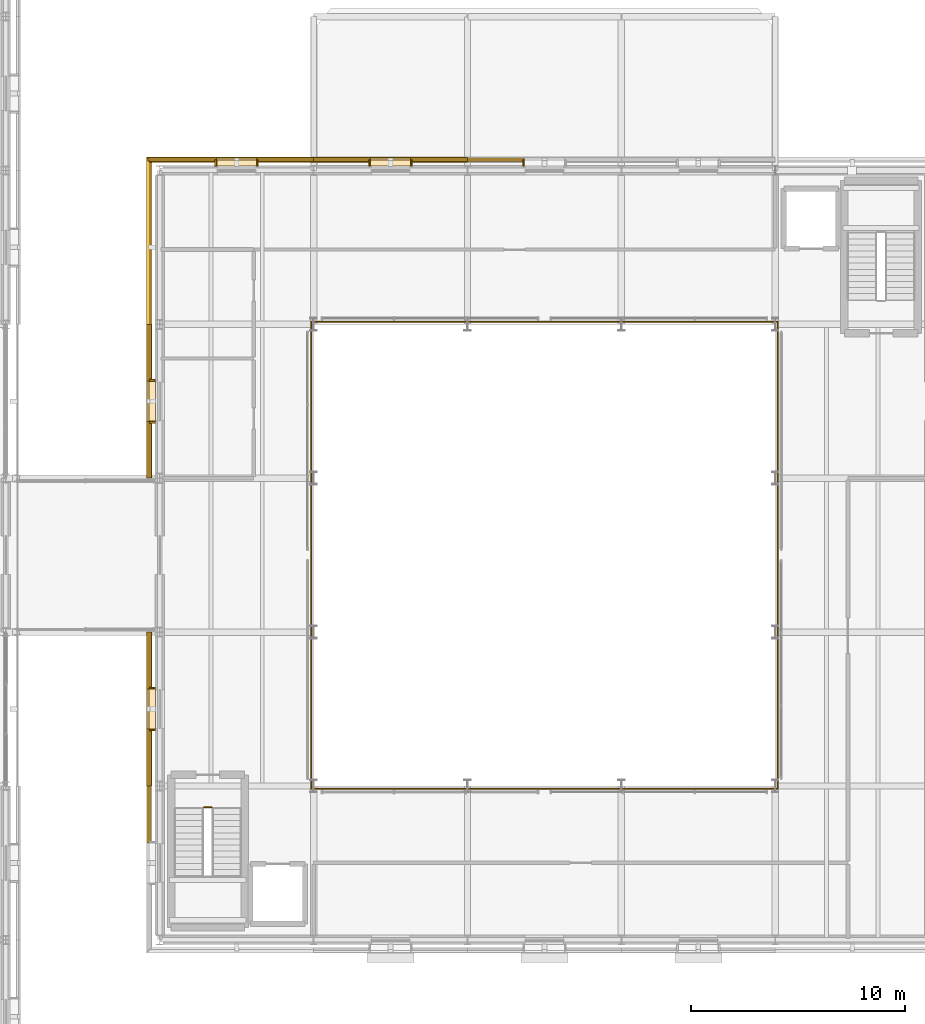
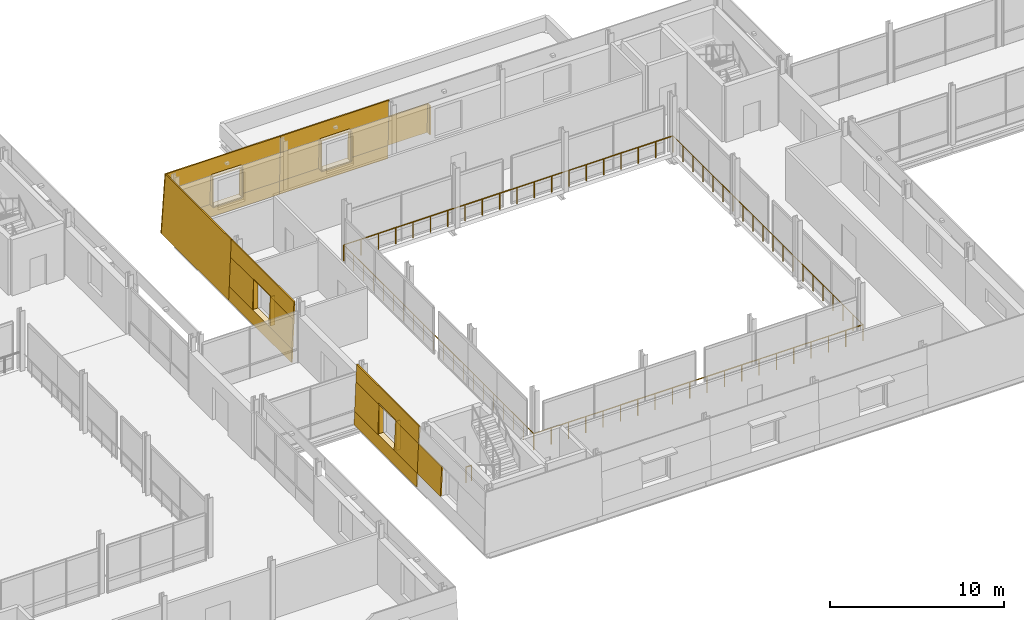
# One storey, part 105 of 115: 36 coverings, 5 railings.
"""IFC4 building model written with IfcOpenShell, lengths in metres."""

from ifc_helpers import new_model, si_unit, direction, frame, origin, origin_2d, place, context, subcontext, project, spatial, polyline, circle, outline, extrude, material, layer, layer_set, type_object, element, save


model = new_model("IFC4")

# Units and contexts
model_context = context("Model", 3, precision=1e-05, world=origin(), true_north=direction((0.0, 1.0)))
body_context = subcontext(model_context, "Body", "Model", "MODEL_VIEW")
ifc_project = project(units=[si_unit("LENGTHUNIT", "METRE"), si_unit("AREAUNIT", "SQUARE_METRE"), si_unit("VOLUMEUNIT", "CUBIC_METRE"), si_unit("PLANEANGLEUNIT", "RADIAN"), si_unit("MASSUNIT", "GRAM", prefix="KILO")], contexts=[model_context])

# Site, building, storey
site_placement = place(None, origin())
site = spatial("IfcSite", under=ifc_project, at=site_placement, CompositionType="ELEMENT")
building_placement = place(site_placement, origin())
building = spatial("IfcBuilding", under=site, at=building_placement, Name="Narikvali Park Central Library", CompositionType="ELEMENT")
storey_placement = place(building_placement, frame((0.0, 0.0, 10.199951171875)))
storey = spatial("IfcBuildingStorey", under=building, at=storey_placement, Name="L02", CompositionType="ELEMENT", Elevation=10.199951171875)

# Railings
ifc_material_1 = material(Name="Laminated Tempered Glass and Stainless Steel", Category="steel")
ifc_layer_1 = layer(ifc_material_1, 0.06005859375, Name="Laminated Tempered Glass and Stainless Steel")
ifc_layer_set_1 = layer_set([ifc_layer_1], Name="Laminated Tempered Glass and Stainless Steel")
railing_type_1 = type_object("IfcRailingType", Name="Atrium Void Tempered Glass Guardrail 1150", PredefinedType="GUARDRAIL", material=ifc_layer_set_1)
railing_1_placement = place(storey_placement, frame((71.8798828125, 64.679931640625, 0.0)))
element("IfcRailing", 1, at=railing_1_placement, inside=storey, type_object=railing_type_1, Name="V1 L02 Void Edge Guardrail S", PredefinedType="GUARDRAIL", context=body_context, shape_type="SweptSolid", body=[
    extrude(circle(Radius=0.02392578125, at=origin_2d()), frame((0.0, 0.0, 1.1259765625), z_axis=(1.0, 0.0, 0.0), x_axis=(0.0, 1.0, 0.0)), (0.0, 0.0, 1.0), 21.840087890625),
    extrude(circle(Radius=0.02099609375, at=origin_2d()), origin(), (0.0, 0.0, 1.0), 1.101806640625),
    extrude(circle(Radius=0.02099609375, at=origin_2d()), frame((1.1494140625, 0.0, 0.0)), (0.0, 0.0, 1.0), 1.101806640625),
    extrude(circle(Radius=0.02099609375, at=origin_2d()), frame((2.299072265625, 0.0, 0.0)), (0.0, 0.0, 1.0), 1.101806640625),
    extrude(circle(Radius=0.02099609375, at=origin_2d()), frame((3.448486328125, 0.0, 0.0)), (0.0, 0.0, 1.0), 1.101806640625),
    extrude(circle(Radius=0.02099609375, at=origin_2d()), frame((4.597900390625, 0.0, 0.0)), (0.0, 0.0, 1.0), 1.101806640625),
    extrude(circle(Radius=0.02099609375, at=origin_2d()), frame((5.747314453125, 0.0, 0.0)), (0.0, 0.0, 1.0), 1.101806640625),
    extrude(circle(Radius=0.02099609375, at=origin_2d()), frame((6.89697265625, 0.0, 0.0)), (0.0, 0.0, 1.0), 1.101806640625),
    extrude(circle(Radius=0.02099609375, at=origin_2d()), frame((8.04638671875, 0.0, 0.0)), (0.0, 0.0, 1.0), 1.101806640625),
    extrude(circle(Radius=0.02099609375, at=origin_2d()), frame((9.19580078125, 0.0, 0.0)), (0.0, 0.0, 1.0), 1.101806640625),
    extrude(circle(Radius=0.02099609375, at=origin_2d()), frame((10.34521484375, 0.0, 0.0)), (0.0, 0.0, 1.0), 1.101806640625),
    extrude(circle(Radius=0.02099609375, at=origin_2d()), frame((11.494873046875, 0.0, 0.0)), (0.0, 0.0, 1.0), 1.101806640625),
    extrude(circle(Radius=0.02099609375, at=origin_2d()), frame((12.644287109375, 0.0, 0.0)), (0.0, 0.0, 1.0), 1.101806640625),
    extrude(circle(Radius=0.02099609375, at=origin_2d()), frame((13.793701171875, 0.0, 0.0)), (0.0, 0.0, 1.0), 1.101806640625),
    extrude(circle(Radius=0.02099609375, at=origin_2d()), frame((14.943115234375, 0.0, 0.0)), (0.0, 0.0, 1.0), 1.101806640625),
    extrude(circle(Radius=0.02099609375, at=origin_2d()), frame((16.0927734375, 0.0, 0.0)), (0.0, 0.0, 1.0), 1.101806640625),
    extrude(circle(Radius=0.02099609375, at=origin_2d()), frame((17.2421875, 0.0, 0.0)), (0.0, 0.0, 1.0), 1.101806640625),
    extrude(circle(Radius=0.02099609375, at=origin_2d()), frame((18.3916015625, 0.0, 0.0)), (0.0, 0.0, 1.0), 1.101806640625),
    extrude(circle(Radius=0.02099609375, at=origin_2d()), frame((19.541015625, 0.0, 0.0)), (0.0, 0.0, 1.0), 1.101806640625),
    extrude(circle(Radius=0.02099609375, at=origin_2d()), frame((20.690673828125, 0.0, 0.0)), (0.0, 0.0, 1.0), 1.101806640625),
    extrude(circle(Radius=0.02099609375, at=origin_2d()), frame((21.840087890625, 0.0, 0.0)), (0.0, 0.0, 1.0), 1.101806640625),
])
railing_2_placement = place(storey_placement, frame((93.719970703125, 64.679931640625, 0.0)))
element("IfcRailing", 2, at=railing_2_placement, inside=storey, type_object=railing_type_1, Name="V1 L02 Void Edge Guardrail E", PredefinedType="GUARDRAIL", context=body_context, shape_type="SweptSolid", body=[
    extrude(circle(Radius=0.02392578125, at=origin_2d()), frame((0.0, 0.0, 1.1259765625), z_axis=(0.0, 1.0, 0.0), x_axis=(-1.0, 0.0, 0.0)), (0.0, 0.0, 1.0), 21.840087890625),
    extrude(circle(Radius=0.02099609375, at=origin_2d()), origin(), (0.0, 0.0, 1.0), 1.101806640625),
    extrude(circle(Radius=0.02099609375, at=origin_2d()), frame((0.0, 1.1494140625, 0.0)), (0.0, 0.0, 1.0), 1.101806640625),
    extrude(circle(Radius=0.02099609375, at=origin_2d()), frame((0.0, 2.299072265625, 0.0)), (0.0, 0.0, 1.0), 1.101806640625),
    extrude(circle(Radius=0.02099609375, at=origin_2d()), frame((0.0, 3.448486328125, 0.0)), (0.0, 0.0, 1.0), 1.101806640625),
    extrude(circle(Radius=0.02099609375, at=origin_2d()), frame((0.0, 4.597900390625, 0.0)), (0.0, 0.0, 1.0), 1.101806640625),
    extrude(circle(Radius=0.02099609375, at=origin_2d()), frame((0.0, 5.747314453125, 0.0)), (0.0, 0.0, 1.0), 1.101806640625),
    extrude(circle(Radius=0.02099609375, at=origin_2d()), frame((0.0, 6.89697265625, 0.0)), (0.0, 0.0, 1.0), 1.101806640625),
    extrude(circle(Radius=0.02099609375, at=origin_2d()), frame((0.0, 8.04638671875, 0.0)), (0.0, 0.0, 1.0), 1.101806640625),
    extrude(circle(Radius=0.02099609375, at=origin_2d()), frame((0.0, 9.19580078125, 0.0)), (0.0, 0.0, 1.0), 1.101806640625),
    extrude(circle(Radius=0.02099609375, at=origin_2d()), frame((0.0, 10.34521484375, 0.0)), (0.0, 0.0, 1.0), 1.101806640625),
    extrude(circle(Radius=0.02099609375, at=origin_2d()), frame((0.0, 11.494873046875, 0.0)), (0.0, 0.0, 1.0), 1.101806640625),
    extrude(circle(Radius=0.02099609375, at=origin_2d()), frame((0.0, 12.644287109375, 0.0)), (0.0, 0.0, 1.0), 1.101806640625),
    extrude(circle(Radius=0.02099609375, at=origin_2d()), frame((0.0, 13.793701171875, 0.0)), (0.0, 0.0, 1.0), 1.101806640625),
    extrude(circle(Radius=0.02099609375, at=origin_2d()), frame((0.0, 14.943115234375, 0.0)), (0.0, 0.0, 1.0), 1.101806640625),
    extrude(circle(Radius=0.02099609375, at=origin_2d()), frame((0.0, 16.0927734375, 0.0)), (0.0, 0.0, 1.0), 1.101806640625),
    extrude(circle(Radius=0.02099609375, at=origin_2d()), frame((0.0, 17.2421875, 0.0)), (0.0, 0.0, 1.0), 1.101806640625),
    extrude(circle(Radius=0.02099609375, at=origin_2d()), frame((0.0, 18.3916015625, 0.0)), (0.0, 0.0, 1.0), 1.101806640625),
    extrude(circle(Radius=0.02099609375, at=origin_2d()), frame((0.0, 19.541015625, 0.0)), (0.0, 0.0, 1.0), 1.101806640625),
    extrude(circle(Radius=0.02099609375, at=origin_2d()), frame((0.0, 20.690673828125, 0.0)), (0.0, 0.0, 1.0), 1.101806640625),
    extrude(circle(Radius=0.02099609375, at=origin_2d()), frame((0.0, 21.840087890625, 0.0)), (0.0, 0.0, 1.0), 1.101806640625),
])
railing_3_placement = place(storey_placement, frame((93.719970703125, 86.52001953125, 0.0)))
element("IfcRailing", 3, at=railing_3_placement, inside=storey, type_object=railing_type_1, Name="V1 L02 Void Edge Guardrail N", PredefinedType="GUARDRAIL", context=body_context, shape_type="SweptSolid", body=[
    extrude(circle(Radius=0.02392578125, at=origin_2d()), frame((0.0, 0.0, 1.1259765625), z_axis=(-1.0, 0.0, 0.0), x_axis=(0.0, -1.0, 0.0)), (0.0, 0.0, 1.0), 21.840087890625),
    extrude(circle(Radius=0.02099609375, at=origin_2d()), origin(), (0.0, 0.0, 1.0), 1.101806640625),
    extrude(circle(Radius=0.02099609375, at=origin_2d()), frame((-1.1494140625, 0.0, 0.0)), (0.0, 0.0, 1.0), 1.101806640625),
    extrude(circle(Radius=0.02099609375, at=origin_2d()), frame((-2.299072265625, 0.0, 0.0)), (0.0, 0.0, 1.0), 1.101806640625),
    extrude(circle(Radius=0.02099609375, at=origin_2d()), frame((-3.448486328125, 0.0, 0.0)), (0.0, 0.0, 1.0), 1.101806640625),
    extrude(circle(Radius=0.02099609375, at=origin_2d()), frame((-4.597900390625, 0.0, 0.0)), (0.0, 0.0, 1.0), 1.101806640625),
    extrude(circle(Radius=0.02099609375, at=origin_2d()), frame((-5.747314453125, 0.0, 0.0)), (0.0, 0.0, 1.0), 1.101806640625),
    extrude(circle(Radius=0.02099609375, at=origin_2d()), frame((-6.89697265625, 0.0, 0.0)), (0.0, 0.0, 1.0), 1.101806640625),
    extrude(circle(Radius=0.02099609375, at=origin_2d()), frame((-8.04638671875, 0.0, 0.0)), (0.0, 0.0, 1.0), 1.101806640625),
    extrude(circle(Radius=0.02099609375, at=origin_2d()), frame((-9.19580078125, 0.0, 0.0)), (0.0, 0.0, 1.0), 1.101806640625),
    extrude(circle(Radius=0.02099609375, at=origin_2d()), frame((-10.34521484375, 0.0, 0.0)), (0.0, 0.0, 1.0), 1.101806640625),
    extrude(circle(Radius=0.02099609375, at=origin_2d()), frame((-11.494873046875, 0.0, 0.0)), (0.0, 0.0, 1.0), 1.101806640625),
    extrude(circle(Radius=0.02099609375, at=origin_2d()), frame((-12.644287109375, 0.0, 0.0)), (0.0, 0.0, 1.0), 1.101806640625),
    extrude(circle(Radius=0.02099609375, at=origin_2d()), frame((-13.793701171875, 0.0, 0.0)), (0.0, 0.0, 1.0), 1.101806640625),
    extrude(circle(Radius=0.02099609375, at=origin_2d()), frame((-14.943115234375, 0.0, 0.0)), (0.0, 0.0, 1.0), 1.101806640625),
    extrude(circle(Radius=0.02099609375, at=origin_2d()), frame((-16.0927734375, 0.0, 0.0)), (0.0, 0.0, 1.0), 1.101806640625),
    extrude(circle(Radius=0.02099609375, at=origin_2d()), frame((-17.2421875, 0.0, 0.0)), (0.0, 0.0, 1.0), 1.101806640625),
    extrude(circle(Radius=0.02099609375, at=origin_2d()), frame((-18.3916015625, 0.0, 0.0)), (0.0, 0.0, 1.0), 1.101806640625),
    extrude(circle(Radius=0.02099609375, at=origin_2d()), frame((-19.541015625, 0.0, 0.0)), (0.0, 0.0, 1.0), 1.101806640625),
    extrude(circle(Radius=0.02099609375, at=origin_2d()), frame((-20.690673828125, 0.0, 0.0)), (0.0, 0.0, 1.0), 1.101806640625),
    extrude(circle(Radius=0.02099609375, at=origin_2d()), frame((-21.840087890625, 0.0, 0.0)), (0.0, 0.0, 1.0), 1.101806640625),
])
railing_4_placement = place(storey_placement, frame((71.8798828125, 86.52001953125, 0.0)))
element("IfcRailing", 4, at=railing_4_placement, inside=storey, type_object=railing_type_1, Name="V1 L02 Void Edge Guardrail W", PredefinedType="GUARDRAIL", context=body_context, shape_type="SweptSolid", body=[
    extrude(circle(Radius=0.02392578125, at=origin_2d()), frame((0.0, 0.0, 1.1259765625), z_axis=(0.0, -1.0, 0.0), x_axis=(1.0, 0.0, 0.0)), (0.0, 0.0, 1.0), 21.840087890625),
    extrude(circle(Radius=0.02099609375, at=origin_2d()), origin(), (0.0, 0.0, 1.0), 1.101806640625),
    extrude(circle(Radius=0.02099609375, at=origin_2d()), frame((0.0, -1.1494140625, 0.0)), (0.0, 0.0, 1.0), 1.101806640625),
    extrude(circle(Radius=0.02099609375, at=origin_2d()), frame((0.0, -2.299072265625, 0.0)), (0.0, 0.0, 1.0), 1.101806640625),
    extrude(circle(Radius=0.02099609375, at=origin_2d()), frame((0.0, -3.448486328125, 0.0)), (0.0, 0.0, 1.0), 1.101806640625),
    extrude(circle(Radius=0.02099609375, at=origin_2d()), frame((0.0, -4.597900390625, 0.0)), (0.0, 0.0, 1.0), 1.101806640625),
    extrude(circle(Radius=0.02099609375, at=origin_2d()), frame((0.0, -5.747314453125, 0.0)), (0.0, 0.0, 1.0), 1.101806640625),
    extrude(circle(Radius=0.02099609375, at=origin_2d()), frame((0.0, -6.89697265625, 0.0)), (0.0, 0.0, 1.0), 1.101806640625),
    extrude(circle(Radius=0.02099609375, at=origin_2d()), frame((0.0, -8.04638671875, 0.0)), (0.0, 0.0, 1.0), 1.101806640625),
    extrude(circle(Radius=0.02099609375, at=origin_2d()), frame((0.0, -9.19580078125, 0.0)), (0.0, 0.0, 1.0), 1.101806640625),
    extrude(circle(Radius=0.02099609375, at=origin_2d()), frame((0.0, -10.34521484375, 0.0)), (0.0, 0.0, 1.0), 1.101806640625),
    extrude(circle(Radius=0.02099609375, at=origin_2d()), frame((0.0, -11.494873046875, 0.0)), (0.0, 0.0, 1.0), 1.101806640625),
    extrude(circle(Radius=0.02099609375, at=origin_2d()), frame((0.0, -12.644287109375, 0.0)), (0.0, 0.0, 1.0), 1.101806640625),
    extrude(circle(Radius=0.02099609375, at=origin_2d()), frame((0.0, -13.793701171875, 0.0)), (0.0, 0.0, 1.0), 1.101806640625),
    extrude(circle(Radius=0.02099609375, at=origin_2d()), frame((0.0, -14.943115234375, 0.0)), (0.0, 0.0, 1.0), 1.101806640625),
    extrude(circle(Radius=0.02099609375, at=origin_2d()), frame((0.0, -16.0927734375, 0.0)), (0.0, 0.0, 1.0), 1.101806640625),
    extrude(circle(Radius=0.02099609375, at=origin_2d()), frame((0.0, -17.2421875, 0.0)), (0.0, 0.0, 1.0), 1.101806640625),
    extrude(circle(Radius=0.02099609375, at=origin_2d()), frame((0.0, -18.3916015625, 0.0)), (0.0, 0.0, 1.0), 1.101806640625),
    extrude(circle(Radius=0.02099609375, at=origin_2d()), frame((0.0, -19.541015625, 0.0)), (0.0, 0.0, 1.0), 1.101806640625),
    extrude(circle(Radius=0.02099609375, at=origin_2d()), frame((0.0, -20.690673828125, 0.0)), (0.0, 0.0, 1.0), 1.101806640625),
    extrude(circle(Radius=0.02099609375, at=origin_2d()), frame((0.0, -21.840087890625, 0.0)), (0.0, 0.0, 1.0), 1.101806640625),
])

# Coverings
ifc_material_2 = material(Name="White Honed Limestone Cladding", Category="masonry")
ifc_layer_2 = layer(ifc_material_2, 0.0849609375, Name="White Honed Limestone Cladding")
ifc_layer_set_2 = layer_set([ifc_layer_2], Name="White Honed Limestone Cladding")
covering_type_1 = type_object("IfcCoveringType", Name="Battered White Limestone Facade Cladding Panel", PredefinedType="CLADDING", material=ifc_layer_set_2)
covering_1_placement = place(storey_placement, frame((81.860107421875, 94.18359375, 0.949951171875), z_axis=(0.0, 0.999166766215, 0.040813886008), x_axis=(-1.0, 0.0, 0.0)))
element("IfcCovering", 5, at=covering_1_placement, inside=storey, type_object=covering_type_1, Name="V1 L02 N Battered Limestone Jamb Pier R B03", PredefinedType="CLADDING", context=body_context, shape_type="SweptSolid", body=[
    extrude(outline(polyline([(0.0, 0.0), (2.66015625, 0.0), (2.66015625, 2.0517584225609666), (0.0, 2.0517584225609666), (0.0, 0.0)])), origin(), (0.0, 0.0, -1.0), 0.0849609375),
])
covering_2_placement = place(storey_placement, frame((79.199951171875, 94.22265625, 0.0), z_axis=(0.0, 0.999155621486, 0.041085813271), x_axis=(-1.0, 0.0, 0.0)))
element("IfcCovering", 6, at=covering_2_placement, inside=storey, type_object=covering_type_1, Name="V1 L02 N Battered Limestone Spandrel B04", PredefinedType="CLADDING", context=body_context, shape_type="SweptSolid", body=[
    extrude(outline(polyline([(0.0, 0.0), (7.199951171875, 0.0), (7.199951171875, 0.9507539680973915), (0.0, 0.9507539680973915), (0.0, 0.0)])), origin(), (0.0, 0.0, -1.0), 0.0849609375),
])
covering_3_placement = place(storey_placement, frame((79.199951171875, 94.099853515625, 3.0), z_axis=(0.0, 0.999164837953, 0.040861064584), x_axis=(-1.0, 0.0, 0.0)))
element("IfcCovering", 7, at=covering_3_placement, inside=storey, type_object=covering_type_1, Name="V1 L02 N Battered Limestone Lintel B04", PredefinedType="CLADDING", context=body_context, shape_type="SweptSolid", body=[
    extrude(outline(polyline([(0.0, 0.0), (7.199951171875, 0.0), (7.199951171875, 1.2009541632126333), (0.0, 1.2009541632126333), (0.0, 0.0)])), origin(), (0.0, 0.0, -1.0), 0.0849609375),
])
for number, where, z_axis, x_axis, name in (
    (8, (79.199951171875, 94.18359375, 0.949951171875), (0.0, 0.999166766215, 0.040813886008), (-1.0, 0.0, 0.0), "V1 L02 N Battered Limestone Jamb Pier L B04"),
    (9, (74.659912109375, 94.18359375, 0.949951171875), (0.0, 0.999166766215, 0.040813886008), (-1.0, 0.0, 0.0), "V1 L02 N Battered Limestone Jamb Pier R B04"),
):
    element("IfcCovering", number, at=place(storey_placement, frame(where, z_axis=z_axis, x_axis=x_axis)), inside=storey, type_object=covering_type_1, Name=name, PredefinedType="CLADDING", context=body_context, shape_type="SweptSolid", body=[
        extrude(outline(polyline([(0.0, 0.0), (2.659912109375, 0.0), (2.659912109375, 2.051758422560966), (0.0, 2.051758422560966), (0.0, 0.0)])), origin(), (0.0, 0.0, -1.0), 0.0849609375),
    ])
covering_4_placement = place(storey_placement, frame((72.0, 94.22265625, 0.0), z_axis=(0.0, 0.999155621486, 0.041085813271), x_axis=(-1.0, 0.0, 0.0)))
element("IfcCovering", 10, at=covering_4_placement, inside=storey, type_object=covering_type_1, Name="V1 L02 N Battered Limestone Spandrel B05", PredefinedType="CLADDING", context=body_context, shape_type="SweptSolid", body=[
    extrude(outline(polyline([(0.0, 0.0), (7.822509765625, 0.0), (7.78369140625, 0.9507539680973915), (0.0, 0.9507539680973915), (0.0, 0.0)])), origin(), (0.0, 0.0, -1.0), 0.0849609375),
])
covering_5_placement = place(storey_placement, frame((72.0, 94.099853515625, 3.0), z_axis=(0.0, 0.999164837953, 0.040861064584), x_axis=(-1.0, 0.0, 0.0)))
element("IfcCovering", 11, at=covering_5_placement, inside=storey, type_object=covering_type_1, Name="V1 L02 N Battered Limestone Lintel B05", PredefinedType="CLADDING", context=body_context, shape_type="SweptSolid", body=[
    extrude(outline(polyline([(0.0, 0.0), (7.69970703125, 0.0), (7.650634765625, 1.2009541632126333), (0.0, 1.2009541632126333), (0.0, 0.0)])), origin(), (0.0, 0.0, -1.0), 0.0849609375),
])
covering_6_placement = place(storey_placement, frame((72.0, 94.18359375, 0.949951171875), z_axis=(0.0, 0.999166766215, 0.040813886008), x_axis=(-1.0, 0.0, 0.0)))
element("IfcCovering", 12, at=covering_6_placement, inside=storey, type_object=covering_type_1, Name="V1 L02 N Battered Limestone Jamb Pier L B05", PredefinedType="CLADDING", context=body_context, shape_type="SweptSolid", body=[
    extrude(outline(polyline([(0.0, 0.0), (2.659912109375, 0.0), (2.659912109375, 2.051758422560966), (0.0, 2.051758422560966), (0.0, 0.0)])), origin(), (0.0, 0.0, -1.0), 0.0849609375),
])
covering_7_placement = place(storey_placement, frame((67.4599609375, 94.18359375, 0.949951171875), z_axis=(0.0, 0.999166766215, 0.040813886008), x_axis=(-1.0, 0.0, 0.0)))
element("IfcCovering", 13, at=covering_7_placement, inside=storey, type_object=covering_type_1, Name="V1 L02 N Battered Limestone Jamb Pier R B05", PredefinedType="CLADDING", context=body_context, shape_type="SweptSolid", body=[
    extrude(outline(polyline([(0.0, 0.0), (3.24365234375, 0.0), (3.15966796875, 2.051758422560966), (0.0, 2.051758422560966), (0.0, 0.0)])), origin(), (0.0, 0.0, -1.0), 0.0849609375),
])
covering_8_placement = place(storey_placement, frame((64.177490234375, 94.1376953125, 0.0), z_axis=(-0.999163700422, 0.0, 0.040888870842), x_axis=(0.0, -1.0, 0.0)))
element("IfcCovering", 14, at=covering_8_placement, inside=storey, type_object=covering_type_1, Name="V1 L02 W Battered Limestone Panel B01", PredefinedType="CLADDING", context=body_context, shape_type="SweptSolid", body=[
    extrude(outline(polyline([(0.0, 0.0), (7.73779296875, 0.0), (7.73779296875, 4.203466529158902), (0.171875, 4.203466529158902), (0.0, 0.0)])), origin(), (0.0, 0.0, -1.0), 0.0849609375),
])
covering_9_placement = place(storey_placement, frame((64.177490234375, 86.39990234375, 0.0), z_axis=(-0.999166130077, 0.0, 0.040829456356), x_axis=(0.0, -1.0, 0.0)))
element("IfcCovering", 15, at=covering_9_placement, inside=storey, type_object=covering_type_1, Name="V1 L02 W Battered Limestone Spandrel B02", PredefinedType="CLADDING", context=body_context, shape_type="SweptSolid", body=[
    extrude(outline(polyline([(0.0, 0.0), (7.199951171875, 0.0), (7.199951171875, 0.9507439686746652), (0.0, 0.9507439686746652), (0.0, 0.0)])), origin(), (0.0, 0.0, -1.0), 0.0849609375),
])
covering_10_placement = place(storey_placement, frame((64.30029296875, 86.39990234375, 3.0), z_axis=(-0.999164837953, 0.0, 0.040861064584), x_axis=(0.0, -1.0, 0.0)))
element("IfcCovering", 16, at=covering_10_placement, inside=storey, type_object=covering_type_1, Name="V1 L02 W Battered Limestone Lintel B02", PredefinedType="CLADDING", context=body_context, shape_type="SweptSolid", body=[
    extrude(outline(polyline([(0.0, 0.0), (7.199951171875, 0.0), (7.199951171875, 1.2009541632126333), (0.0, 1.2009541632126333), (0.0, 0.0)])), origin(), (0.0, 0.0, -1.0), 0.0849609375),
])
covering_11_placement = place(storey_placement, frame((64.21630859375, 86.39990234375, 0.949951171875), z_axis=(-0.999161906742, 0.0, 0.040932677852), x_axis=(0.0, -1.0, 0.0)))
element("IfcCovering", 17, at=covering_11_placement, inside=storey, type_object=covering_type_1, Name="V1 L02 W Battered Limestone Jamb Pier L B02", PredefinedType="CLADDING", context=body_context, shape_type="SweptSolid", body=[
    extrude(outline(polyline([(0.0, 0.0), (2.659912109375, 0.0), (2.659912109375, 2.051768401389598), (0.0, 2.051768401389598), (0.0, 0.0)])), origin(), (0.0, 0.0, -1.0), 0.0849609375),
])
covering_12_placement = place(storey_placement, frame((64.21630859375, 81.860107421875, 0.949951171875), z_axis=(-0.999161906742, 0.0, 0.040932677852), x_axis=(0.0, -1.0, 0.0)))
element("IfcCovering", 18, at=covering_12_placement, inside=storey, type_object=covering_type_1, Name="V1 L02 W Battered Limestone Jamb Pier R B02", PredefinedType="CLADDING", context=body_context, shape_type="SweptSolid", body=[
    extrude(outline(polyline([(0.0, 0.0), (2.66015625, 0.0), (2.66015625, 2.051768401389598), (0.0, 2.051768401389598), (0.0, 0.0)])), origin(), (0.0, 0.0, -1.0), 0.0849609375),
])
covering_13_placement = place(storey_placement, frame((64.177490234375, 72.0, 0.0), z_axis=(-0.999166130077, 0.0, 0.040829456356), x_axis=(0.0, -1.0, 0.0)))
element("IfcCovering", 19, at=covering_13_placement, inside=storey, type_object=covering_type_1, Name="V1 L02 W Battered Limestone Spandrel B04", PredefinedType="CLADDING", context=body_context, shape_type="SweptSolid", body=[
    extrude(outline(polyline([(0.0, 0.0), (7.199951171875, 0.0), (7.199951171875, 0.9507439686746652), (0.0, 0.9507439686746652), (0.0, 0.0)])), origin(), (0.0, 0.0, -1.0), 0.0849609375),
])
covering_14_placement = place(storey_placement, frame((64.30029296875, 72.0, 3.0), z_axis=(-0.999164837953, 0.0, 0.040861064584), x_axis=(0.0, -1.0, 0.0)))
element("IfcCovering", 20, at=covering_14_placement, inside=storey, type_object=covering_type_1, Name="V1 L02 W Battered Limestone Lintel B04", PredefinedType="CLADDING", context=body_context, shape_type="SweptSolid", body=[
    extrude(outline(polyline([(0.0, 0.0), (7.199951171875, 0.0), (7.199951171875, 1.2009541632126333), (0.0, 1.2009541632126333), (0.0, 0.0)])), origin(), (0.0, 0.0, -1.0), 0.0849609375),
])
for number, where, z_axis, x_axis, name in (
    (21, (64.21630859375, 72.0, 0.949951171875), (-0.999161906742, 0.0, 0.040932677852), (0.0, -1.0, 0.0), "V1 L02 W Battered Limestone Jamb Pier L B04"),
    (22, (64.21630859375, 67.4599609375, 0.949951171875), (-0.999161906742, 0.0, 0.040932677852), (0.0, -1.0, 0.0), "V1 L02 W Battered Limestone Jamb Pier R B04"),
):
    element("IfcCovering", number, at=place(storey_placement, frame(where, z_axis=z_axis, x_axis=x_axis)), inside=storey, type_object=covering_type_1, Name=name, PredefinedType="CLADDING", context=body_context, shape_type="SweptSolid", body=[
        extrude(outline(polyline([(0.0, 0.0), (2.659912109375, 0.0), (2.659912109375, 2.051768401389598), (0.0, 2.051768401389598), (0.0, 0.0)])), origin(), (0.0, 0.0, -1.0), 0.0849609375),
    ])
covering_15_placement = place(storey_placement, frame((64.21630859375, 64.800048828125, 0.949951171875), z_axis=(-0.999161906742, 0.0, 0.040932677852), x_axis=(0.0, -1.0, 0.0)))
element("IfcCovering", 23, at=covering_15_placement, inside=storey, type_object=covering_type_1, Name="V1 L02 W Battered Limestone Jamb Pier L B05", PredefinedType="CLADDING", context=body_context, shape_type="SweptSolid", body=[
    extrude(outline(polyline([(0.0, 0.0), (2.66015625, 0.0), (2.66015625, 2.051768401389598), (0.0, 2.051768401389598), (0.0, 0.0)])), origin(), (0.0, 0.0, -1.0), 0.0849609375),
])
ifc_layer_3 = layer(ifc_material_2, 0.080078125, Name="White Honed Limestone Cladding")
ifc_layer_set_3 = layer_set([ifc_layer_3], Name="White Honed Limestone Cladding")
covering_type_2 = type_object("IfcCoveringType", Name="Deep Carved White Limestone Window Reveal", PredefinedType="CLADDING", material=ifc_layer_set_3)
covering_16_placement = place(storey_placement, frame((0.0, 0.0, 0.949951171875)))
element("IfcCovering", 24, at=covering_16_placement, inside=storey, type_object=covering_type_2, Name="Deep Stone Reveal Jamb R V1-RVL-L02-N-B03", PredefinedType="CLADDING", context=body_context, shape_type="SweptSolid", body=[
    extrude(outline(polyline([(81.860107421875, 93.804931640625), (81.780029296875, 93.804931640625), (81.780029296875, 94.099853515625), (81.860107421875, 94.099853515625), (81.860107421875, 93.804931640625)])), origin(), (0.0, 0.0, 1.0), 2.050048828125),
])
covering_17_placement = place(storey_placement, frame((0.0, 0.0, 3.0)))
element("IfcCovering", 25, at=covering_17_placement, inside=storey, type_object=covering_type_2, Name="Deep Stone Reveal Head V1-RVL-L02-N-B04", PredefinedType="CLADDING", context=body_context, shape_type="SweptSolid", body=[
    extrude(outline(polyline([(76.580078125, 93.804931640625), (74.6201171875, 93.804931640625), (74.6201171875, 94.099853515625), (76.580078125, 94.099853515625), (76.580078125, 93.804931640625)])), origin(), (0.0, 0.0, 1.0), 0.080078125),
])
covering_18_placement = place(storey_placement, frame((0.0, 0.0, 0.8701171875)))
element("IfcCovering", 26, at=covering_18_placement, inside=storey, type_object=covering_type_2, Name="Deep Stone Reveal Sill V1-RVL-L02-N-B04", PredefinedType="CLADDING", context=body_context, shape_type="SweptSolid", body=[
    extrude(outline(polyline([(76.580078125, 93.804931640625), (74.6201171875, 93.804931640625), (74.6201171875, 94.18359375), (76.580078125, 94.18359375), (76.580078125, 93.804931640625)])), origin(), (0.0, 0.0, 1.0), 0.079833984375),
])
covering_19_placement = place(storey_placement, frame((0.0, 0.0, 0.949951171875)))
element("IfcCovering", 27, at=covering_19_placement, inside=storey, type_object=covering_type_2, Name="Deep Stone Reveal Jamb L V1-RVL-L02-N-B04", PredefinedType="CLADDING", context=body_context, shape_type="SweptSolid", body=[
    extrude(outline(polyline([(76.6201171875, 93.804931640625), (76.5400390625, 93.804931640625), (76.5400390625, 94.099853515625), (76.6201171875, 94.099853515625), (76.6201171875, 93.804931640625)])), origin(), (0.0, 0.0, 1.0), 2.050048828125),
])
covering_20_placement = place(storey_placement, frame((0.0, 0.0, 0.949951171875)))
element("IfcCovering", 28, at=covering_20_placement, inside=storey, type_object=covering_type_2, Name="Deep Stone Reveal Jamb R V1-RVL-L02-N-B04", PredefinedType="CLADDING", context=body_context, shape_type="SweptSolid", body=[
    extrude(outline(polyline([(74.659912109375, 93.804931640625), (74.580078125, 93.804931640625), (74.580078125, 94.099853515625), (74.659912109375, 94.099853515625), (74.659912109375, 93.804931640625)])), origin(), (0.0, 0.0, 1.0), 2.050048828125),
])
covering_21_placement = place(storey_placement, frame((0.0, 0.0, 3.0)))
element("IfcCovering", 29, at=covering_21_placement, inside=storey, type_object=covering_type_2, Name="Deep Stone Reveal Head V1-RVL-L02-N-B05", PredefinedType="CLADDING", context=body_context, shape_type="SweptSolid", body=[
    extrude(outline(polyline([(69.3798828125, 93.804931640625), (67.419921875, 93.804931640625), (67.419921875, 94.099853515625), (69.3798828125, 94.099853515625), (69.3798828125, 93.804931640625)])), origin(), (0.0, 0.0, 1.0), 0.080078125),
])
covering_22_placement = place(storey_placement, frame((0.0, 0.0, 0.8701171875)))
element("IfcCovering", 30, at=covering_22_placement, inside=storey, type_object=covering_type_2, Name="Deep Stone Reveal Sill V1-RVL-L02-N-B05", PredefinedType="CLADDING", context=body_context, shape_type="SweptSolid", body=[
    extrude(outline(polyline([(69.3798828125, 93.804931640625), (67.419921875, 93.804931640625), (67.419921875, 94.18359375), (69.3798828125, 94.18359375), (69.3798828125, 93.804931640625)])), origin(), (0.0, 0.0, 1.0), 0.079833984375),
])
covering_23_placement = place(storey_placement, frame((0.0, 0.0, 0.949951171875)))
element("IfcCovering", 31, at=covering_23_placement, inside=storey, type_object=covering_type_2, Name="Deep Stone Reveal Jamb L V1-RVL-L02-N-B05", PredefinedType="CLADDING", context=body_context, shape_type="SweptSolid", body=[
    extrude(outline(polyline([(69.419921875, 93.804931640625), (69.340087890625, 93.804931640625), (69.340087890625, 94.099853515625), (69.419921875, 94.099853515625), (69.419921875, 93.804931640625)])), origin(), (0.0, 0.0, 1.0), 2.050048828125),
])
covering_24_placement = place(storey_placement, frame((0.0, 0.0, 0.949951171875)))
element("IfcCovering", 32, at=covering_24_placement, inside=storey, type_object=covering_type_2, Name="Deep Stone Reveal Jamb R V1-RVL-L02-N-B05", PredefinedType="CLADDING", context=body_context, shape_type="SweptSolid", body=[
    extrude(outline(polyline([(67.4599609375, 93.804931640625), (67.3798828125, 93.804931640625), (67.3798828125, 94.099853515625), (67.4599609375, 94.099853515625), (67.4599609375, 93.804931640625)])), origin(), (0.0, 0.0, 1.0), 2.050048828125),
])
covering_25_placement = place(storey_placement, frame((0.0, 0.0, 3.0)))
element("IfcCovering", 33, at=covering_25_placement, inside=storey, type_object=covering_type_2, Name="Deep Stone Reveal Head V1-RVL-L02-W-B02", PredefinedType="CLADDING", context=body_context, shape_type="SweptSolid", body=[
    extrude(outline(polyline([(64.594970703125, 83.780029296875), (64.594970703125, 81.820068359375), (64.30029296875, 81.820068359375), (64.30029296875, 83.780029296875), (64.594970703125, 83.780029296875)])), origin(), (0.0, 0.0, 1.0), 0.080078125),
])
covering_26_placement = place(storey_placement, frame((0.0, 0.0, 0.8701171875)))
element("IfcCovering", 34, at=covering_26_placement, inside=storey, type_object=covering_type_2, Name="Deep Stone Reveal Sill V1-RVL-L02-W-B02", PredefinedType="CLADDING", context=body_context, shape_type="SweptSolid", body=[
    extrude(outline(polyline([(64.594970703125, 83.780029296875), (64.594970703125, 81.820068359375), (64.21630859375, 81.820068359375), (64.21630859375, 83.780029296875), (64.594970703125, 83.780029296875)])), origin(), (0.0, 0.0, 1.0), 0.079833984375),
])
covering_27_placement = place(storey_placement, frame((0.0, 0.0, 0.949951171875)))
element("IfcCovering", 35, at=covering_27_placement, inside=storey, type_object=covering_type_2, Name="Deep Stone Reveal Jamb L V1-RVL-L02-W-B02", PredefinedType="CLADDING", context=body_context, shape_type="SweptSolid", body=[
    extrude(outline(polyline([(64.594970703125, 83.820068359375), (64.594970703125, 83.739990234375), (64.30029296875, 83.739990234375), (64.30029296875, 83.820068359375), (64.594970703125, 83.820068359375)])), origin(), (0.0, 0.0, 1.0), 2.050048828125),
])
covering_28_placement = place(storey_placement, frame((0.0, 0.0, 0.949951171875)))
element("IfcCovering", 36, at=covering_28_placement, inside=storey, type_object=covering_type_2, Name="Deep Stone Reveal Jamb R V1-RVL-L02-W-B02", PredefinedType="CLADDING", context=body_context, shape_type="SweptSolid", body=[
    extrude(outline(polyline([(64.594970703125, 81.860107421875), (64.594970703125, 81.780029296875), (64.30029296875, 81.780029296875), (64.30029296875, 81.860107421875), (64.594970703125, 81.860107421875)])), origin(), (0.0, 0.0, 1.0), 2.050048828125),
])
covering_29_placement = place(storey_placement, frame((0.0, 0.0, 3.0)))
element("IfcCovering", 37, at=covering_29_placement, inside=storey, type_object=covering_type_2, Name="Deep Stone Reveal Head V1-RVL-L02-W-B04", PredefinedType="CLADDING", context=body_context, shape_type="SweptSolid", body=[
    extrude(outline(polyline([(64.594970703125, 69.3798828125), (64.594970703125, 67.419921875), (64.30029296875, 67.419921875), (64.30029296875, 69.3798828125), (64.594970703125, 69.3798828125)])), origin(), (0.0, 0.0, 1.0), 0.080078125),
])
covering_30_placement = place(storey_placement, frame((0.0, 0.0, 0.8701171875)))
element("IfcCovering", 38, at=covering_30_placement, inside=storey, type_object=covering_type_2, Name="Deep Stone Reveal Sill V1-RVL-L02-W-B04", PredefinedType="CLADDING", context=body_context, shape_type="SweptSolid", body=[
    extrude(outline(polyline([(64.594970703125, 69.3798828125), (64.594970703125, 67.419921875), (64.21630859375, 67.419921875), (64.21630859375, 69.3798828125), (64.594970703125, 69.3798828125)])), origin(), (0.0, 0.0, 1.0), 0.079833984375),
])
covering_31_placement = place(storey_placement, frame((0.0, 0.0, 0.949951171875)))
element("IfcCovering", 39, at=covering_31_placement, inside=storey, type_object=covering_type_2, Name="Deep Stone Reveal Jamb L V1-RVL-L02-W-B04", PredefinedType="CLADDING", context=body_context, shape_type="SweptSolid", body=[
    extrude(outline(polyline([(64.594970703125, 69.419921875), (64.594970703125, 69.340087890625), (64.30029296875, 69.340087890625), (64.30029296875, 69.419921875), (64.594970703125, 69.419921875)])), origin(), (0.0, 0.0, 1.0), 2.050048828125),
])
covering_32_placement = place(storey_placement, frame((0.0, 0.0, 0.949951171875)))
element("IfcCovering", 40, at=covering_32_placement, inside=storey, type_object=covering_type_2, Name="Deep Stone Reveal Jamb R V1-RVL-L02-W-B04", PredefinedType="CLADDING", context=body_context, shape_type="SweptSolid", body=[
    extrude(outline(polyline([(64.594970703125, 67.4599609375), (64.594970703125, 67.3798828125), (64.30029296875, 67.3798828125), (64.30029296875, 67.4599609375), (64.594970703125, 67.4599609375)])), origin(), (0.0, 0.0, 1.0), 2.050048828125),
])

# Railing
ifc_material_3 = material(Name="Powder-Coated Steel S275", Category="steel")
ifc_layer_4 = layer(ifc_material_3, 0.050048828125, Name="Powder-Coated Steel S275")
ifc_layer_set_4 = layer_set([ifc_layer_4], Name="Powder-Coated Steel S275")
railing_type_2 = type_object("IfcRailingType", Name="Stair Well Steel Guardrail 1100", PredefinedType="GUARDRAIL", material=ifc_layer_set_4)
railing_5_placement = place(storey_placement, frame((66.8701171875, 63.800048828125, 0.0)))
element("IfcRailing", 41, at=railing_5_placement, inside=storey, type_object=railing_type_2, Name="L02 ST-01 stair guard 4", PredefinedType="GUARDRAIL", context=body_context, shape_type="SweptSolid", body=[
    extrude(circle(Radius=0.02392578125, at=origin_2d()), frame((0.0, 0.0, 1.076171875), z_axis=(1.0, 0.0, 0.0), x_axis=(0.0, 1.0, 0.0)), (0.0, 0.0, 1.0), 0.35986328125),
    extrude(circle(Radius=0.02099609375, at=origin_2d()), origin(), (0.0, 0.0, 1.0), 1.052001953125),
    extrude(circle(Radius=0.02099609375, at=origin_2d()), frame((0.35986328125, 0.0, 0.0)), (0.0, 0.0, 1.0), 1.052001953125),
])

save(model, "model.ifc")
